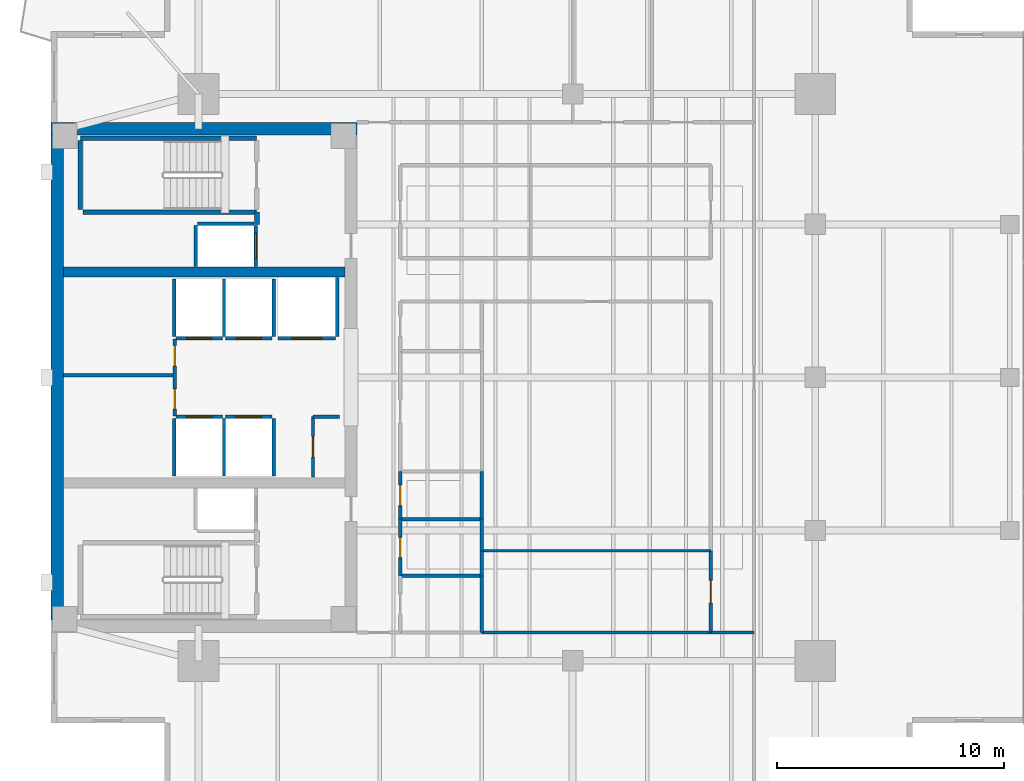
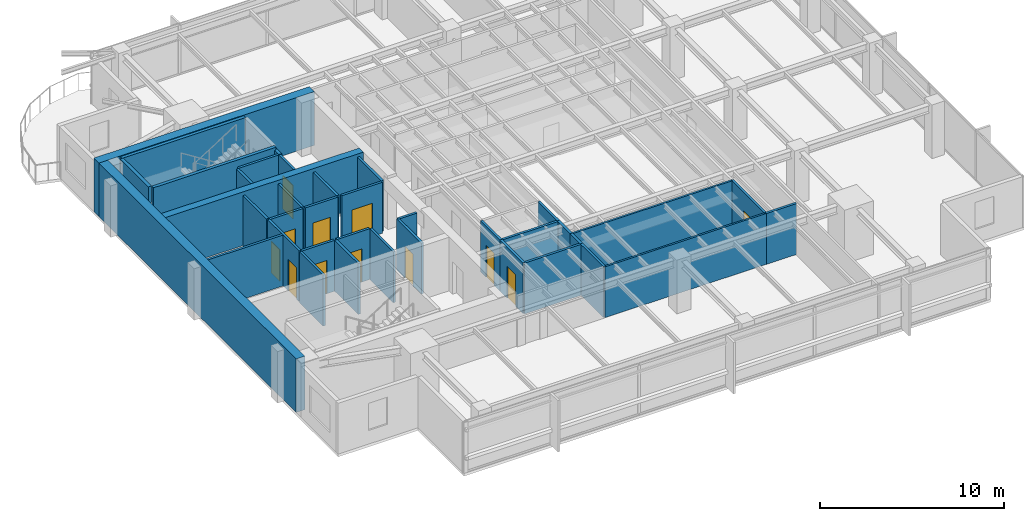
# One storey, part 8 of 14: 38 walls, 12 doors, 12 openings.
"""IFC4 building model written with IfcOpenShell, lengths in metres."""

import ifcopenshell
import ifcopenshell.guid

model = None  # the IFC model being written
_history = None  # IfcOwnerHistory: only IFC2X3 demands one
_inside = {}  # id of a spatial element -> (the spatial element, [elements in it])
_under = {}  # id of a project, library or spatial element -> (it, [spatial elements below it])
_declared = {}  # id of a project -> (the project, [libraries it declares])
_typed = {}  # id of a type object -> (the type object, [elements of that type])
_made_of = {}  # id of a material, layer set ... -> (it, [elements and type objects made of it])


def new_model(schema):
    """Start an empty IFC model of exactly this schema.

    Asked for "IFC4X3", IfcOpenShell would pick the latest addendum, in which some entities
    have other attributes; the version numbers below select the first issue.
    IFC2X3 requires an IfcOwnerHistory on every rooted entity: one is made here for all.
    """
    global model, _history
    if schema == "IFC4X3":
        model = ifcopenshell.file(schema_version=(4, 3, 0, 0))
    else:
        model = ifcopenshell.file(schema=schema)
    _inside.clear()
    _under.clear()
    _declared.clear()
    _typed.clear()
    _made_of.clear()
    _history = None
    if model.schema == "IFC2X3":
        org = make("IfcOrganization", Name="unknown")
        user = make(
            "IfcPersonAndOrganization",
            ThePerson=make("IfcPerson", FamilyName="unknown"),
            TheOrganization=org,
        )
        app = make(
            "IfcApplication",
            ApplicationDeveloper=org,
            Version="unknown",
            ApplicationFullName="unknown",
            ApplicationIdentifier="unknown",
        )
        _history = make(
            "IfcOwnerHistory",
            OwningUser=user,
            OwningApplication=app,
            ChangeAction="ADDED",
            CreationDate=0,
        )
    return model


def make(cls, **values):
    """One entity of the class cls with the attributes given. An attribute that is None is left unset."""
    return model.create_entity(
        cls, **{name: value for name, value in values.items() if value is not None}
    )


def rooted(cls, **values):
    """An entity with a GlobalId (a new one), such as an element, a storey or a relation."""
    return make(cls, GlobalId=ifcopenshell.guid.new(), OwnerHistory=_history, **values)


def si_unit(unit_type, name, prefix=None):
    """IfcSIUnit, for example si_unit("LENGTHUNIT", "METRE", prefix="MILLI")."""
    return make("IfcSIUnit", UnitType=unit_type, Prefix=prefix, Name=name)


def assignment(units):
    """IfcUnitAssignment: the units of a project."""
    return None if units is None else make("IfcUnitAssignment", Units=units)


def point(xyz):
    """IfcCartesianPoint."""
    return None if xyz is None else make("IfcCartesianPoint", Coordinates=xyz)


def direction(xyz):
    """IfcDirection."""
    return None if xyz is None else make("IfcDirection", DirectionRatios=xyz)


def frame(location, z_axis=None, x_axis=None):
    """IfcAxis2Placement3D, a coordinate frame: its origin and axes. An axis left out is left unset."""
    return make(
        "IfcAxis2Placement3D",
        Location=point(location),
        Axis=direction(z_axis),
        RefDirection=direction(x_axis),
    )


def frame_2d(location, x_axis=None):
    """IfcAxis2Placement2D, a coordinate frame in the plane: its origin and x axis."""
    return make(
        "IfcAxis2Placement2D", Location=point(location), RefDirection=direction(x_axis)
    )


def origin():
    """The frame at (0, 0, 0) with its axes left unset."""
    return frame((0.0, 0.0, 0.0))


def place(relative_to, where):
    """IfcLocalPlacement: puts the frame where relative to a parent placement (None: the world)."""
    return make(
        "IfcLocalPlacement", PlacementRelTo=relative_to, RelativePlacement=where
    )


def context(
    kind, dimensions, precision=None, world=None, true_north=None, identifier=None
):
    """IfcGeometricRepresentationContext, for example the 3D "Model" context."""
    return make(
        "IfcGeometricRepresentationContext",
        ContextIdentifier=identifier,
        ContextType=kind,
        CoordinateSpaceDimension=dimensions,
        Precision=precision,
        WorldCoordinateSystem=world,
        TrueNorth=true_north,
    )


def subcontext(parent, identifier, kind, view, scale=None):
    """IfcGeometricRepresentationSubContext, for example "Body" below "Model"."""
    return make(
        "IfcGeometricRepresentationSubContext",
        ContextIdentifier=identifier,
        ContextType=kind,
        ParentContext=parent,
        TargetScale=scale,
        TargetView=view,
    )


def project(units=None, contexts=None):
    """IfcProject with its units and contexts."""
    return rooted(
        "IfcProject",
        Name="project",
        RepresentationContexts=contexts,
        UnitsInContext=assignment(units),
    )


def spatial(cls, under=None, at=None, **own):
    """A site, building, storey or space (cls), placed at a placement, below another one or the project."""
    s = rooted(cls, ObjectPlacement=at, **own)
    if under is not None:
        _under.setdefault(under.id(), (under, []))[1].append(s)
    return s


def profile(cls, at=None, kind="AREA", **sizes):
    """A parametric profile (cls). Its sizes go by their IFC names, for example OverallWidth=200.0."""
    return make(cls, ProfileType=kind, Position=at, **sizes)


def rectangle(**sizes):
    """IfcRectangleProfileDef."""
    return profile("IfcRectangleProfileDef", **sizes)


def extrude(swept, where, along, depth):
    """IfcExtrudedAreaSolid: the profile swept, set in the frame where, extruded along a direction by depth."""
    return make(
        "IfcExtrudedAreaSolid",
        SweptArea=swept,
        Position=where,
        ExtrudedDirection=direction(along),
        Depth=depth,
    )


def shape(context_of_items, identifier, shape_type, items):
    """IfcShapeRepresentation: the items that make up one representation, for example the "Body"."""
    return make(
        "IfcShapeRepresentation",
        ContextOfItems=context_of_items,
        RepresentationIdentifier=identifier,
        RepresentationType=shape_type,
        Items=items,
    )


def material(Name=None, Category=None):
    """IfcMaterial."""
    return make("IfcMaterial", Name=Name, Category=Category)


def layer(
    of_material, thickness, ventilated=None, Name=None, Category=None, Priority=None
):
    """IfcMaterialLayer: one layer of a wall or slab, of a material (None: an air gap)."""
    return make(
        "IfcMaterialLayer",
        Material=of_material,
        LayerThickness=thickness,
        IsVentilated=ventilated,
        Name=Name,
        Category=Category,
        Priority=Priority,
    )


def layer_set(layers, Name=None):
    """IfcMaterialLayerSet."""
    return make("IfcMaterialLayerSet", MaterialLayers=layers, LayerSetName=Name)


def made_of(thing, what):
    """Note that an element or type object is made of a material, layer set ...; save() writes the relation."""
    if what is not None:
        _made_of.setdefault(what.id(), (what, []))[1].append(thing)
    return thing


def type_object(cls, material=None, **own):
    """A type object (cls), such as IfcWallType, which elements share."""
    return made_of(rooted(cls, **own), material)


def element(
    cls,
    number,
    at=None,
    inside=None,
    cuts=None,
    type_object=None,
    material=None,
    context=None,
    identifier="Body",
    shape_type=None,
    held_by="IfcProductDefinitionShape",
    body=None,
    shapes=None,
    **own,
):
    """One element of the class cls, such as IfcWall. Its Tag is "e" and its number.

    at: its placement. inside: the storey or other place that contains it. cuts: it is an
    opening in that element (IfcRelVoidsElement). A single representation is given by context,
    identifier, shape_type and body (its items); several are given by shapes. held_by: the class
    of the entity that holds the representations. save() writes the other relations.
    """
    e = rooted(cls, Tag="e%d" % number, ObjectPlacement=at, **own)
    if body is not None:
        shapes = [shape(context, identifier, shape_type, body)]
    if shapes is not None:
        e.Representation = make(held_by, Representations=shapes)
    if inside is not None:
        _inside.setdefault(inside.id(), (inside, []))[1].append(e)
    if cuts is not None:
        rooted(
            "IfcRelVoidsElement", RelatingBuildingElement=cuts, RelatedOpeningElement=e
        )
    if type_object is not None:
        _typed.setdefault(type_object.id(), (type_object, []))[1].append(e)
    return made_of(e, material)


def fill(opening, filler):
    """IfcRelFillsElement: the door or window that sits in an opening."""
    return rooted(
        "IfcRelFillsElement",
        RelatingOpeningElement=opening,
        RelatedBuildingElement=filler,
    )


def aggregate(whole, parts):
    """IfcRelAggregates: a whole, such as a stair, and the parts it consists of."""
    return rooted("IfcRelAggregates", RelatingObject=whole, RelatedObjects=parts)


def save(model, path):
    """Write the relations noted so far, then the file.

    IfcRelAggregates (storeys below a building ...), IfcRelContainedInSpatialStructure (elements
    in a storey), IfcRelDefinesByType, IfcRelAssociatesMaterial and IfcRelDeclares: one each for
    every whole, place, type object, material and project.
    """
    for whole, parts in _under.values():
        aggregate(whole, parts)
    for where, things in _inside.values():
        rooted(
            "IfcRelContainedInSpatialStructure",
            RelatedElements=things,
            RelatingStructure=where,
        )
    for kind, things in _typed.values():
        rooted("IfcRelDefinesByType", RelatedObjects=things, RelatingType=kind)
    for what, things in _made_of.values():
        rooted("IfcRelAssociatesMaterial", RelatedObjects=things, RelatingMaterial=what)
    for by, libraries in _declared.values():
        rooted("IfcRelDeclares", RelatingContext=by, RelatedDefinitions=libraries)
    model.write(path)


model = new_model("IFC4")

# Units and contexts
model_context = context("Model", 3, precision=1e-05, world=origin(), true_north=direction((0.0, 1.0)))
body_context = subcontext(model_context, "Body", "Model", "MODEL_VIEW")
ifc_project = project(units=[si_unit("LENGTHUNIT", "METRE"), si_unit("AREAUNIT", "SQUARE_METRE"), si_unit("VOLUMEUNIT", "CUBIC_METRE"), si_unit("PLANEANGLEUNIT", "RADIAN"), si_unit("MASSUNIT", "GRAM", prefix="KILO")], contexts=[model_context])

# Site, building, storey
site_placement = place(None, origin())
site = spatial("IfcSite", under=ifc_project, at=site_placement, CompositionType="ELEMENT")
building_placement = place(site_placement, origin())
building = spatial("IfcBuilding", under=site, at=building_placement, Name="Kinhvarn Gate Tower", CompositionType="ELEMENT")
storey_placement = place(building_placement, frame((0.0, 0.0, 234.199951171875)))
storey = spatial("IfcBuildingStorey", under=building, at=storey_placement, Name="L62", CompositionType="ELEMENT", Elevation=234.199951171875)

# Walls
ifc_material_1 = material(Name="Concrete C50/60", Category="concrete")
ifc_layer_1 = layer(ifc_material_1, 0.449951171875)
ifc_layer_set_1 = layer_set([ifc_layer_1], Name="Concrete C50/60")
wall_type_1 = type_object("IfcWallType", Name="WL-CORE-450", PredefinedType="SHEAR", material=ifc_layer_set_1)
wall_1_placement = place(storey_placement, frame((5.050048828125, 29.89990234375, 0.0), z_axis=(0.0, 0.0, 1.0), x_axis=(1.0, 0.0, 0.0)))
element("IfcWall", 1, at=wall_1_placement, inside=storey, type_object=wall_type_1, Name="Core North Spine Shear Wall L62 450 mm", PredefinedType="SHEAR", context=body_context, shape_type="SweptSolid", body=[
    extrude(rectangle(XDim=12.39990234375, YDim=0.449951171875, at=frame_2d((6.199951171875, 0.0))), origin(), (0.0, 0.0, 1.0), 3.550048828125),
])
ifc_material_2 = material(Name="Concrete C60/75", Category="concrete")
ifc_layer_2 = layer(ifc_material_2, 0.550048828125)
ifc_layer_set_2 = layer_set([ifc_layer_2], Name="Concrete C60/75")
wall_type_2 = type_object("IfcWallType", Name="WL-CORE-550", PredefinedType="SHEAR", material=ifc_layer_set_2)
wall_2_placement = place(storey_placement, frame((4.5, 36.22509765625, 0.0), z_axis=(0.0, 0.0, 1.0), x_axis=(1.0, 0.0, 0.0)))
element("IfcWall", 2, at=wall_2_placement, inside=storey, type_object=wall_type_2, Name="Core North Shear Wall L62 550 mm", PredefinedType="SHEAR", context=body_context, shape_type="SweptSolid", body=[
    extrude(rectangle(XDim=13.5, YDim=0.550048828125, at=frame_2d((6.75, 0.0))), origin(), (0.0, 0.0, 1.0), 3.550048828125),
])
ifc_layer_3 = layer(ifc_material_2, 0.550048828125)
ifc_layer_set_3 = layer_set([ifc_layer_3], Name="Concrete C60/75")
wall_type_3 = type_object("IfcWallType", Name="WL-COREX-550", PredefinedType="SHEAR", material=ifc_layer_set_3)
wall_3_placement = place(storey_placement, frame((4.77490234375, 14.550048828125, 0.0), z_axis=(0.0, 0.0, 1.0), x_axis=(0.0, 1.0, 0.0)))
element("IfcWall", 3, at=wall_3_placement, inside=storey, type_object=wall_type_3, Name="Core West Shear Wall L62 550 mm", PredefinedType="SHEAR", context=body_context, shape_type="SweptSolid", body=[
    extrude(rectangle(XDim=21.39990234375, YDim=0.550048828125, at=frame_2d((10.699951171875, 0.0))), origin(), (0.0, 0.0, 1.0), 3.550048828125),
])
ifc_material_3 = material(Name="Gypsum acoustic partition board")
ifc_layer_4 = layer(ifc_material_3, 0.14990234375)
ifc_layer_set_4 = layer_set([ifc_layer_4], Name="Gypsum acoustic partition board")
wall_type_4 = type_object("IfcWallType", Name="WL-PLM-150", PredefinedType="PLUMBINGWALL", material=ifc_layer_set_4)
wall_4_placement = place(storey_placement, frame((19.89990234375, 16.5, 0.0), z_axis=(0.0, 0.0, 1.0), x_axis=(1.0, 0.0, 0.0)))
element("IfcWall", 4, at=wall_4_placement, inside=storey, type_object=wall_type_4, Name="Interior Partition PLW-150 (L62)", PredefinedType="PLUMBINGWALL", context=body_context, shape_type="SweptSolid", body=[
    extrude(rectangle(XDim=3.60009765625, YDim=0.14990234375, at=frame_2d((1.800048828125, 0.0))), origin(), (0.0, 0.0, 1.0), 3.3701171875),
])
wall_5_placement = place(storey_placement, frame((23.5, 14.0, 0.0), z_axis=(0.0, 0.0, 1.0), x_axis=(0.0, 1.0, 0.0)))
element("IfcWall", 5, at=wall_5_placement, inside=storey, type_object=wall_type_4, Name="Interior Partition PLW-150 (L62)", PredefinedType="PLUMBINGWALL", context=body_context, shape_type="SweptSolid", body=[
    extrude(rectangle(XDim=2.5, YDim=0.14990234375, at=frame_2d((1.25, 0.0))), origin(), (0.0, 0.0, 1.0), 3.3701171875),
])
wall_6_placement = place(storey_placement, frame((19.89990234375, 19.0, 0.0), z_axis=(0.0, 0.0, 1.0), x_axis=(1.0, 0.0, 0.0)))
element("IfcWall", 6, at=wall_6_placement, inside=storey, type_object=wall_type_4, Name="Interior Partition PLW-150 (L62)", PredefinedType="PLUMBINGWALL", context=body_context, shape_type="SweptSolid", body=[
    extrude(rectangle(XDim=3.60009765625, YDim=0.14990234375, at=frame_2d((1.800048828125, 0.0))), origin(), (0.0, 0.0, 1.0), 3.3701171875),
])
wall_7_placement = place(storey_placement, frame((23.5, 16.5, 0.0), z_axis=(0.0, 0.0, 1.0), x_axis=(0.0, 1.0, 0.0)))
element("IfcWall", 7, at=wall_7_placement, inside=storey, type_object=wall_type_4, Name="Interior Partition PLW-150 (L62)", PredefinedType="PLUMBINGWALL", context=body_context, shape_type="SweptSolid", body=[
    extrude(rectangle(XDim=1.10009765625, YDim=0.14990234375, at=frame_2d((0.550048828125, 0.0))), origin(), (0.0, 0.0, 1.0), 3.3701171875),
])
wall_8_placement = place(storey_placement, frame((23.5, 17.60009765625, 0.0), z_axis=(0.0, 0.0, 1.0), x_axis=(0.0, 1.0, 0.0)))
element("IfcWall", 8, at=wall_8_placement, inside=storey, type_object=wall_type_4, Name="Interior Partition PLW-150 (L62)", PredefinedType="PLUMBINGWALL", context=body_context, shape_type="SweptSolid", body=[
    extrude(rectangle(XDim=1.39990234375, YDim=0.14990234375, at=frame_2d((0.699951171875, 0.0))), origin(), (0.0, 0.0, 1.0), 3.3701171875),
])
wall_9_placement = place(storey_placement, frame((23.5, 19.0, 0.0), z_axis=(0.0, 0.0, 1.0), x_axis=(0.0, 1.0, 0.0)))
element("IfcWall", 9, at=wall_9_placement, inside=storey, type_object=wall_type_4, Name="Interior Partition PLW-150 (L62)", PredefinedType="PLUMBINGWALL", context=body_context, shape_type="SweptSolid", body=[
    extrude(rectangle(XDim=2.10009765625, YDim=0.14990234375, at=frame_2d((1.050048828125, 0.0))), origin(), (0.0, 0.0, 1.0), 3.3701171875),
])

# Wall, opening, door
ifc_layer_5 = layer(ifc_material_3, 0.14990234375)
ifc_layer_set_5 = layer_set([ifc_layer_5], Name="Gypsum acoustic partition board")
wall_type_5 = type_object("IfcWallType", Name="WL-PLM-150F", PredefinedType="PLUMBINGWALL", material=ifc_layer_set_5)
wall_10_placement = place(storey_placement, frame((19.89990234375, 16.5, 0.0), z_axis=(0.0, 0.0, 1.0), x_axis=(0.0, 1.0, 0.0)))
wall_10 = element("IfcWall", 10, at=wall_10_placement, inside=storey, type_object=wall_type_5, Name="Interior Partition PLW-150F (L62)", PredefinedType="PLUMBINGWALL", context=body_context, shape_type="SweptSolid", body=[
    extrude(rectangle(XDim=2.5, YDim=0.14990234375, at=frame_2d((1.25, 0.0))), origin(), (0.0, 0.0, 1.0), 3.3701171875),
])
opening_1_placement = place(wall_10_placement, frame((0.800048828125, 0.0, 0.0)))
opening_1 = element("IfcOpeningElement", 11, at=opening_1_placement, cuts=wall_10, Name="Opening FD-04", PredefinedType="OPENING", context=body_context, shape_type="SweptSolid", body=[
    extrude(rectangle(XDim=0.89990234375, YDim=2.10009765625, at=frame_2d((0.449951171875, 1.050048828125))), frame((0.0, 0.0849609375, 0.0), z_axis=(0.0, -1.0, 0.0), x_axis=(1.0, 0.0, 0.0)), (0.0, 0.0, 1.0), 0.169921875),
])
ifc_material_4 = material(Name="Anodised aluminium AW-6063", Category="aluminium")
door_type_1 = type_object("IfcDoorType", Name="DR-FD-900", OperationType="NOTDEFINED", PredefinedType="DOOR", material=ifc_material_4)
door_1_placement = place(opening_1_placement, origin())
door_1 = element("IfcDoor", 12, at=door_1_placement, inside=storey, type_object=door_type_1, Name="Rated Riser & Service Closet Fire Door 900x2100 mm (L62)", OperationType="SINGLE_SWING_LEFT", OverallHeight=2.10009765625, OverallWidth=0.89990234375, PredefinedType="DOOR", context=body_context, shape_type="SweptSolid", body=[
    extrude(rectangle(XDim=0.89990234375, YDim=2.10009765625, at=frame_2d((0.449951171875, 1.050048828125))), frame((0.0, 0.02490234375, 0.0), z_axis=(0.0, -1.0, 0.0), x_axis=(1.0, 0.0, 0.0)), (0.0, 0.0, 1.0), 0.050048828125),
])
fill(opening_1, door_1)

wall_11_placement = place(storey_placement, frame((19.89990234375, 19.0, 0.0), z_axis=(0.0, 0.0, 1.0), x_axis=(0.0, 1.0, 0.0)))
wall_11 = element("IfcWall", 13, at=wall_11_placement, inside=storey, type_object=wall_type_5, Name="Interior Partition PLW-150F (L62)", PredefinedType="PLUMBINGWALL", context=body_context, shape_type="SweptSolid", body=[
    extrude(rectangle(XDim=2.10009765625, YDim=0.14990234375, at=frame_2d((1.050048828125, 0.0))), origin(), (0.0, 0.0, 1.0), 3.3701171875),
])
opening_2_placement = place(wall_11_placement, frame((0.60009765625, 0.0, 0.0)))
opening_2 = element("IfcOpeningElement", 14, at=opening_2_placement, cuts=wall_11, Name="Opening FD-04", PredefinedType="OPENING", context=body_context, shape_type="SweptSolid", body=[
    extrude(rectangle(XDim=0.89990234375, YDim=2.10009765625, at=frame_2d((0.449951171875, 1.050048828125))), frame((0.0, 0.0849609375, 0.0), z_axis=(0.0, -1.0, 0.0), x_axis=(1.0, 0.0, 0.0)), (0.0, 0.0, 1.0), 0.169921875),
])
door_2_placement = place(opening_2_placement, origin())
door_2 = element("IfcDoor", 15, at=door_2_placement, inside=storey, type_object=door_type_1, Name="Rated Riser & Service Closet Fire Door 900x2100 mm (L62)", OperationType="SINGLE_SWING_RIGHT", OverallHeight=2.10009765625, OverallWidth=0.89990234375, PredefinedType="DOOR", context=body_context, shape_type="SweptSolid", body=[
    extrude(rectangle(XDim=0.89990234375, YDim=2.10009765625, at=frame_2d((0.449951171875, 1.050048828125))), frame((0.0, 0.02490234375, 0.0), z_axis=(0.0, -1.0, 0.0), x_axis=(1.0, 0.0, 0.0)), (0.0, 0.0, 1.0), 0.050048828125),
])
fill(opening_2, door_2)

# Walls
ifc_layer_6 = layer(ifc_material_3, 0.1201171875)
ifc_layer_set_6 = layer_set([ifc_layer_6], Name="Gypsum acoustic partition board")
wall_type_6 = type_object("IfcWallType", Name="WL-PRT-120", PredefinedType="PARTITIONING", material=ifc_layer_set_6)
for number, where, z_axis, x_axis, name in (
    (16, (23.5, 17.60009765625, 0.0), (0.0, 0.0, 1.0), (1.0, 0.0, 0.0), "Interior Partition PW-120 (L62)"),
    (17, (23.5, 14.0, 0.0), (0.0, 0.0, 1.0), (1.0, 0.0, 0.0), "Interior Partition PW-120 (L62)"),
):
    element("IfcWall", number, at=place(storey_placement, frame(where, z_axis=z_axis, x_axis=x_axis)), inside=storey, type_object=wall_type_6, Name=name, PredefinedType="PARTITIONING", context=body_context, shape_type="SweptSolid", body=[
        extrude(rectangle(XDim=10.10009765625, YDim=0.1201171875, at=frame_2d((5.050048828125, 0.0))), origin(), (0.0, 0.0, 1.0), 3.3701171875),
    ])
ifc_layer_7 = layer(ifc_material_3, 0.14990234375)
ifc_layer_set_7 = layer_set([ifc_layer_7], Name="Gypsum acoustic partition board")
wall_type_7 = type_object("IfcWallType", Name="WL-PRT-150F", PredefinedType="PARTITIONING", material=ifc_layer_set_7)
wall_12_placement = place(storey_placement, frame((5.050048828125, 25.35009765625, 0.0), z_axis=(0.0, 0.0, 1.0), x_axis=(1.0, 0.0, 0.0)))
element("IfcWall", 18, at=wall_12_placement, inside=storey, type_object=wall_type_7, Name="Interior Partition PW-150F (L62)", PredefinedType="PARTITIONING", context=body_context, shape_type="SweptSolid", body=[
    extrude(rectangle(XDim=4.89990234375, YDim=0.14990234375, at=frame_2d((2.449951171875, 0.0))), origin(), (0.0, 0.0, 1.0), 3.3701171875),
])

# Wall, openings, doors
wall_13_placement = place(storey_placement, frame((9.949951171875, 23.550048828125, 0.0), z_axis=(0.0, 0.0, 1.0), x_axis=(0.0, 1.0, 0.0)))
wall_13 = element("IfcWall", 19, at=wall_13_placement, inside=storey, type_object=wall_type_7, Name="Interior Partition PW-150F (L62)", PredefinedType="PARTITIONING", context=body_context, shape_type="SweptSolid", body=[
    extrude(rectangle(XDim=3.39990234375, YDim=0.14990234375, at=frame_2d((1.699951171875, 0.0))), origin(), (0.0, 0.0, 1.0), 3.3701171875),
])
opening_3_placement = place(wall_13_placement, frame((0.298095703125, 0.0, 0.0)))
opening_3 = element("IfcOpeningElement", 20, at=opening_3_placement, cuts=wall_13, Name="Opening FD-04", PredefinedType="OPENING", context=body_context, shape_type="SweptSolid", body=[
    extrude(rectangle(XDim=0.89990234375, YDim=2.10009765625, at=frame_2d((0.449951171875, 1.050048828125))), frame((0.0, 0.0849609375, 0.0), z_axis=(0.0, -1.0, 0.0), x_axis=(1.0, 0.0, 0.0)), (0.0, 0.0, 1.0), 0.169921875),
])
opening_4_placement = place(wall_13_placement, frame((2.201904296875, 0.0, 0.0)))
opening_4 = element("IfcOpeningElement", 21, at=opening_4_placement, cuts=wall_13, Name="Opening FD-04", PredefinedType="OPENING", context=body_context, shape_type="SweptSolid", body=[
    extrude(rectangle(XDim=0.89990234375, YDim=2.10009765625, at=frame_2d((0.449951171875, 1.050048828125))), frame((0.0, 0.0849609375, 0.0), z_axis=(0.0, -1.0, 0.0), x_axis=(1.0, 0.0, 0.0)), (0.0, 0.0, 1.0), 0.169921875),
])
door_3_placement = place(opening_3_placement, origin())
door_3 = element("IfcDoor", 22, at=door_3_placement, inside=storey, type_object=door_type_1, Name="Rated Riser & Service Closet Fire Door 900x2100 mm (L62)", OperationType="SINGLE_SWING_RIGHT", OverallHeight=2.10009765625, OverallWidth=0.89990234375, PredefinedType="DOOR", context=body_context, shape_type="SweptSolid", body=[
    extrude(rectangle(XDim=0.89990234375, YDim=2.10009765625, at=frame_2d((0.449951171875, 1.050048828125))), frame((0.0, 0.02490234375, 0.0), z_axis=(0.0, -1.0, 0.0), x_axis=(1.0, 0.0, 0.0)), (0.0, 0.0, 1.0), 0.050048828125),
])
fill(opening_3, door_3)
door_4_placement = place(opening_4_placement, origin())
door_4 = element("IfcDoor", 23, at=door_4_placement, inside=storey, type_object=door_type_1, Name="Rated Riser & Service Closet Fire Door 900x2100 mm (L62)", OperationType="SINGLE_SWING_LEFT", OverallHeight=2.10009765625, OverallWidth=0.89990234375, PredefinedType="DOOR", context=body_context, shape_type="SweptSolid", body=[
    extrude(rectangle(XDim=0.89990234375, YDim=2.10009765625, at=frame_2d((0.449951171875, 1.050048828125))), frame((0.0, 0.02490234375, 0.0), z_axis=(0.0, -1.0, 0.0), x_axis=(1.0, 0.0, 0.0)), (0.0, 0.0, 1.0), 0.050048828125),
])
fill(opening_4, door_4)

# Wall, opening, door
wall_14_placement = place(storey_placement, frame((16.050048828125, 20.85009765625, 0.0), z_axis=(0.0, 0.0, 1.0), x_axis=(0.0, 1.0, 0.0)))
wall_14 = element("IfcWall", 24, at=wall_14_placement, inside=storey, type_object=wall_type_7, Name="Interior Partition PW-150F (L62)", PredefinedType="PARTITIONING", context=body_context, shape_type="SweptSolid", body=[
    extrude(rectangle(XDim=2.669921875, YDim=0.14990234375, at=frame_2d((1.3349609375, 0.0))), origin(), (0.0, 0.0, 1.0), 3.3701171875),
])
opening_5_placement = place(wall_14_placement, frame((0.885009765625, 0.0, 0.0)))
opening_5 = element("IfcOpeningElement", 25, at=opening_5_placement, cuts=wall_14, Name="Opening FD-04", PredefinedType="OPENING", context=body_context, shape_type="SweptSolid", body=[
    extrude(rectangle(XDim=0.89990234375, YDim=2.10009765625, at=frame_2d((0.449951171875, 1.050048828125))), frame((0.0, 0.0849609375, 0.0), z_axis=(0.0, -1.0, 0.0), x_axis=(1.0, 0.0, 0.0)), (0.0, 0.0, 1.0), 0.169921875),
])
door_5_placement = place(opening_5_placement, origin())
door_5 = element("IfcDoor", 26, at=door_5_placement, inside=storey, type_object=door_type_1, Name="Rated Riser & Service Closet Fire Door 900x2100 mm (L62)", OperationType="SINGLE_SWING_RIGHT", OverallHeight=2.10009765625, OverallWidth=0.89990234375, PredefinedType="DOOR", context=body_context, shape_type="SweptSolid", body=[
    extrude(rectangle(XDim=0.89990234375, YDim=2.10009765625, at=frame_2d((0.449951171875, 1.050048828125))), frame((0.0, 0.02490234375, 0.0), z_axis=(0.0, -1.0, 0.0), x_axis=(1.0, 0.0, 0.0)), (0.0, 0.0, 1.0), 0.050048828125),
])
fill(opening_5, door_5)

# Wall
wall_15_placement = place(storey_placement, frame((16.050048828125, 23.52001953125, 0.0), z_axis=(0.0, 0.0, 1.0), x_axis=(1.0, 0.0, 0.0)))
element("IfcWall", 27, at=wall_15_placement, inside=storey, type_object=wall_type_7, Name="Interior Partition PW-150F (L62)", PredefinedType="PARTITIONING", context=body_context, shape_type="SweptSolid", body=[
    extrude(rectangle(XDim=1.169921875, YDim=0.14990234375, at=frame_2d((0.5849609375, 0.0))), origin(), (0.0, 0.0, 1.0), 3.3701171875),
])

# Wall, opening, door
wall_16_placement = place(storey_placement, frame((33.60009765625, 14.0, 0.0), z_axis=(0.0, 0.0, 1.0), x_axis=(0.0, 1.0, 0.0)))
wall_16 = element("IfcWall", 28, at=wall_16_placement, inside=storey, type_object=wall_type_7, Name="Interior Partition PW-150F (L62)", PredefinedType="PARTITIONING", context=body_context, shape_type="SweptSolid", body=[
    extrude(rectangle(XDim=3.60009765625, YDim=0.14990234375, at=frame_2d((1.800048828125, 0.0))), origin(), (0.0, 0.0, 1.0), 3.3701171875),
])
opening_6_placement = place(wall_16_placement, frame((1.300048828125, 0.0, 0.0)))
opening_6 = element("IfcOpeningElement", 29, at=opening_6_placement, cuts=wall_16, Name="Opening ID-02", PredefinedType="OPENING", context=body_context, shape_type="SweptSolid", body=[
    extrude(rectangle(XDim=1.0, YDim=2.14990234375, at=frame_2d((0.5, 1.074951171875))), frame((0.0, 0.0849609375, 0.0), z_axis=(0.0, -1.0, 0.0), x_axis=(1.0, 0.0, 0.0)), (0.0, 0.0, 1.0), 0.169921875),
])
door_type_2 = type_object("IfcDoorType", Name="DR-INT-1000", OperationType="NOTDEFINED", PredefinedType="DOOR", material=ifc_material_4)
door_6_placement = place(opening_6_placement, origin())
door_6 = element("IfcDoor", 30, at=door_6_placement, inside=storey, type_object=door_type_2, Name="Standard Office & Meeting Room Door 1000x2150 mm (L62)", OperationType="SINGLE_SWING_LEFT", OverallHeight=2.14990234375, OverallWidth=1.0, PredefinedType="DOOR", context=body_context, shape_type="SweptSolid", body=[
    extrude(rectangle(XDim=1.0, YDim=2.14990234375, at=frame_2d((0.5, 1.074951171875))), frame((0.0, 0.02490234375, 0.0), z_axis=(0.0, -1.0, 0.0), x_axis=(1.0, 0.0, 0.0)), (0.0, 0.0, 1.0), 0.050048828125),
])
fill(opening_6, door_6)

# Walls
wall_17_placement = place(storey_placement, frame((33.60009765625, 14.0, 0.0), z_axis=(0.0, 0.0, 1.0), x_axis=(1.0, 0.0, 0.0)))
element("IfcWall", 31, at=wall_17_placement, inside=storey, type_object=wall_type_7, Name="Interior Partition PW-150F (L62)", PredefinedType="PARTITIONING", context=body_context, shape_type="SweptSolid", body=[
    extrude(rectangle(XDim=1.89990234375, YDim=0.14990234375, at=frame_2d((0.949951171875, 0.0))), origin(), (0.0, 0.0, 1.0), 3.3701171875),
])
ifc_layer_8 = layer(ifc_material_3, 0.199951171875)
ifc_layer_set_8 = layer_set([ifc_layer_8], Name="Gypsum acoustic partition board")
wall_type_8 = type_object("IfcWallType", Name="WL-PRT-200", PredefinedType="PARTITIONING", material=ifc_layer_set_8)
wall_18_placement = place(storey_placement, frame((13.580078125, 32.0, 0.0), z_axis=(0.0, 0.0, 1.0), x_axis=(0.0, 1.0, 0.0)))
element("IfcWall", 32, at=wall_18_placement, inside=storey, type_object=wall_type_8, Name="Interior Partition PW-200 (L62)", PredefinedType="PARTITIONING", context=body_context, shape_type="SweptSolid", body=[
    extrude(rectangle(XDim=0.5400390625, YDim=0.199951171875, at=frame_2d((0.27001953125, 0.0))), origin(), (0.0, 0.0, 1.0), 3.3701171875),
])

# Wall, opening, door
ifc_layer_9 = layer(ifc_material_3, 0.14990234375)
ifc_layer_set_9 = layer_set([ifc_layer_9], Name="Gypsum acoustic partition board")
wall_type_9 = type_object("IfcWallType", Name="WL-SHF-150", PredefinedType="PARTITIONING", material=ifc_layer_set_9)
wall_19_placement = place(storey_placement, frame((10.0, 23.52490234375, 0.0), z_axis=(0.0, 0.0, 1.0), x_axis=(1.0, 0.0, 0.0)))
wall_19 = element("IfcWall", 33, at=wall_19_placement, inside=storey, type_object=wall_type_9, Name="Elevator PH-09 Landing Wall (L62)", PredefinedType="PARTITIONING", context=body_context, shape_type="SweptSolid", body=[
    extrude(rectangle(XDim=2.050048828125, YDim=0.14990234375, at=frame_2d((1.02490234375, 0.0))), origin(), (0.0, 0.0, 1.0), 3.3701171875),
])
opening_7_placement = place(wall_19_placement, frame((0.47509765625, 0.0, 0.0)))
opening_7 = element("IfcOpeningElement", 34, at=opening_7_placement, cuts=wall_19, Name="Opening LD-01", PredefinedType="OPENING", context=body_context, shape_type="SweptSolid", body=[
    extrude(rectangle(XDim=1.10009765625, YDim=2.199951171875, at=frame_2d((0.550048828125, 1.10009765625))), frame((0.0, 0.0849609375, 0.0), z_axis=(0.0, -1.0, 0.0), x_axis=(1.0, 0.0, 0.0)), (0.0, 0.0, 1.0), 0.169921875),
])
door_type_3 = type_object("IfcDoorType", Name="DR-LND-PAS", OperationType="NOTDEFINED", PredefinedType="DOOR", material=ifc_material_4)
door_7_placement = place(opening_7_placement, origin())
door_7 = element("IfcDoor", 35, at=door_7_placement, inside=storey, type_object=door_type_3, Name="Elevator PH-09 Sliding Landing Door (L62)", OperationType="DOUBLE_DOOR_SLIDING", OverallHeight=2.199951171875, OverallWidth=1.10009765625, PredefinedType="DOOR", context=body_context, shape_type="SweptSolid", body=[
    extrude(rectangle(XDim=1.10009765625, YDim=2.199951171875, at=frame_2d((0.550048828125, 1.10009765625))), frame((0.0, 0.02490234375, 0.0), z_axis=(0.0, -1.0, 0.0), x_axis=(1.0, 0.0, 0.0)), (0.0, 0.0, 1.0), 0.050048828125),
])
fill(opening_7, door_7)

# Walls
for number, where, z_axis, x_axis, name in (
    (36, (9.925048828125, 20.89990234375, 0.0), (0.0, 0.0, 1.0), (0.0, 1.0, 0.0), "Elevator PH-09 Hoistway Wall W (L62)"),
    (37, (12.125, 20.89990234375, 0.0), (0.0, 0.0, 1.0), (0.0, 1.0, 0.0), "Elevator PH-09 Hoistway Wall E (L62)"),
):
    element("IfcWall", number, at=place(storey_placement, frame(where, z_axis=z_axis, x_axis=x_axis)), inside=storey, type_object=wall_type_9, Name=name, PredefinedType="PARTITIONING", context=body_context, shape_type="SweptSolid", body=[
        extrude(rectangle(XDim=2.550048828125, YDim=0.14990234375, at=frame_2d((1.27490234375, 0.0))), origin(), (0.0, 0.0, 1.0), 3.3701171875),
    ])

# Wall, opening, door
wall_20_placement = place(storey_placement, frame((12.199951171875, 23.52490234375, 0.0), z_axis=(0.0, 0.0, 1.0), x_axis=(1.0, 0.0, 0.0)))
wall_20 = element("IfcWall", 38, at=wall_20_placement, inside=storey, type_object=wall_type_9, Name="Elevator PH-10 Landing Wall (L62)", PredefinedType="PARTITIONING", context=body_context, shape_type="SweptSolid", body=[
    extrude(rectangle(XDim=2.050048828125, YDim=0.14990234375, at=frame_2d((1.02490234375, 0.0))), origin(), (0.0, 0.0, 1.0), 3.3701171875),
])
opening_8_placement = place(wall_20_placement, frame((0.47509765625, 0.0, 0.0)))
opening_8 = element("IfcOpeningElement", 39, at=opening_8_placement, cuts=wall_20, Name="Opening LD-01", PredefinedType="OPENING", context=body_context, shape_type="SweptSolid", body=[
    extrude(rectangle(XDim=1.10009765625, YDim=2.199951171875, at=frame_2d((0.550048828125, 1.10009765625))), frame((0.0, 0.0849609375, 0.0), z_axis=(0.0, -1.0, 0.0), x_axis=(1.0, 0.0, 0.0)), (0.0, 0.0, 1.0), 0.169921875),
])
door_8_placement = place(opening_8_placement, origin())
door_8 = element("IfcDoor", 40, at=door_8_placement, inside=storey, type_object=door_type_3, Name="Elevator PH-10 Sliding Landing Door (L62)", OperationType="DOUBLE_DOOR_SLIDING", OverallHeight=2.199951171875, OverallWidth=1.10009765625, PredefinedType="DOOR", context=body_context, shape_type="SweptSolid", body=[
    extrude(rectangle(XDim=1.10009765625, YDim=2.199951171875, at=frame_2d((0.550048828125, 1.10009765625))), frame((0.0, 0.02490234375, 0.0), z_axis=(0.0, -1.0, 0.0), x_axis=(1.0, 0.0, 0.0)), (0.0, 0.0, 1.0), 0.050048828125),
])
fill(opening_8, door_8)

# Wall
wall_21_placement = place(storey_placement, frame((14.324951171875, 20.89990234375, 0.0), z_axis=(0.0, 0.0, 1.0), x_axis=(0.0, 1.0, 0.0)))
element("IfcWall", 41, at=wall_21_placement, inside=storey, type_object=wall_type_9, Name="Elevator PH-10 Hoistway Wall E (L62)", PredefinedType="PARTITIONING", context=body_context, shape_type="SweptSolid", body=[
    extrude(rectangle(XDim=2.550048828125, YDim=0.14990234375, at=frame_2d((1.27490234375, 0.0))), origin(), (0.0, 0.0, 1.0), 3.3701171875),
])

# Wall, opening, door
wall_22_placement = place(storey_placement, frame((10.0, 26.97509765625, 0.0), z_axis=(0.0, 0.0, 1.0), x_axis=(1.0, 0.0, 0.0)))
wall_22 = element("IfcWall", 42, at=wall_22_placement, inside=storey, type_object=wall_type_9, Name="Elevator PH-11 Landing Wall (L62)", PredefinedType="PARTITIONING", context=body_context, shape_type="SweptSolid", body=[
    extrude(rectangle(XDim=2.050048828125, YDim=0.14990234375, at=frame_2d((1.02490234375, 0.0))), origin(), (0.0, 0.0, 1.0), 3.3701171875),
])
opening_9_placement = place(wall_22_placement, frame((0.47509765625, 0.0, 0.0)))
opening_9 = element("IfcOpeningElement", 43, at=opening_9_placement, cuts=wall_22, Name="Opening LD-01", PredefinedType="OPENING", context=body_context, shape_type="SweptSolid", body=[
    extrude(rectangle(XDim=1.10009765625, YDim=2.199951171875, at=frame_2d((0.550048828125, 1.10009765625))), frame((0.0, 0.0849609375, 0.0), z_axis=(0.0, -1.0, 0.0), x_axis=(1.0, 0.0, 0.0)), (0.0, 0.0, 1.0), 0.169921875),
])
door_9_placement = place(opening_9_placement, origin())
door_9 = element("IfcDoor", 44, at=door_9_placement, inside=storey, type_object=door_type_3, Name="Elevator PH-11 Sliding Landing Door (L62)", OperationType="DOUBLE_DOOR_SLIDING", OverallHeight=2.199951171875, OverallWidth=1.10009765625, PredefinedType="DOOR", context=body_context, shape_type="SweptSolid", body=[
    extrude(rectangle(XDim=1.10009765625, YDim=2.199951171875, at=frame_2d((0.550048828125, 1.10009765625))), frame((0.0, 0.02490234375, 0.0), z_axis=(0.0, -1.0, 0.0), x_axis=(1.0, 0.0, 0.0)), (0.0, 0.0, 1.0), 0.050048828125),
])
fill(opening_9, door_9)

# Walls
for number, where, z_axis, x_axis, name in (
    (45, (9.925048828125, 27.050048828125, 0.0), (0.0, 0.0, 1.0), (0.0, 1.0, 0.0), "Elevator PH-11 Hoistway Wall W (L62)"),
    (46, (12.125, 27.050048828125, 0.0), (0.0, 0.0, 1.0), (0.0, 1.0, 0.0), "Elevator PH-11 Hoistway Wall E (L62)"),
):
    element("IfcWall", number, at=place(storey_placement, frame(where, z_axis=z_axis, x_axis=x_axis)), inside=storey, type_object=wall_type_9, Name=name, PredefinedType="PARTITIONING", context=body_context, shape_type="SweptSolid", body=[
        extrude(rectangle(XDim=2.550048828125, YDim=0.14990234375, at=frame_2d((1.27490234375, 0.0))), origin(), (0.0, 0.0, 1.0), 3.3701171875),
    ])

# Wall, opening, door
wall_23_placement = place(storey_placement, frame((12.199951171875, 26.97509765625, 0.0), z_axis=(0.0, 0.0, 1.0), x_axis=(1.0, 0.0, 0.0)))
wall_23 = element("IfcWall", 47, at=wall_23_placement, inside=storey, type_object=wall_type_9, Name="Elevator PH-12 Landing Wall (L62)", PredefinedType="PARTITIONING", context=body_context, shape_type="SweptSolid", body=[
    extrude(rectangle(XDim=2.050048828125, YDim=0.14990234375, at=frame_2d((1.02490234375, 0.0))), origin(), (0.0, 0.0, 1.0), 3.3701171875),
])
opening_10_placement = place(wall_23_placement, frame((0.47509765625, 0.0, 0.0)))
opening_10 = element("IfcOpeningElement", 48, at=opening_10_placement, cuts=wall_23, Name="Opening LD-01", PredefinedType="OPENING", context=body_context, shape_type="SweptSolid", body=[
    extrude(rectangle(XDim=1.10009765625, YDim=2.199951171875, at=frame_2d((0.550048828125, 1.10009765625))), frame((0.0, 0.0849609375, 0.0), z_axis=(0.0, -1.0, 0.0), x_axis=(1.0, 0.0, 0.0)), (0.0, 0.0, 1.0), 0.169921875),
])
door_10_placement = place(opening_10_placement, origin())
door_10 = element("IfcDoor", 49, at=door_10_placement, inside=storey, type_object=door_type_3, Name="Elevator PH-12 Sliding Landing Door (L62)", OperationType="DOUBLE_DOOR_SLIDING", OverallHeight=2.199951171875, OverallWidth=1.10009765625, PredefinedType="DOOR", context=body_context, shape_type="SweptSolid", body=[
    extrude(rectangle(XDim=1.10009765625, YDim=2.199951171875, at=frame_2d((0.550048828125, 1.10009765625))), frame((0.0, 0.02490234375, 0.0), z_axis=(0.0, -1.0, 0.0), x_axis=(1.0, 0.0, 0.0)), (0.0, 0.0, 1.0), 0.050048828125),
])
fill(opening_10, door_10)

# Wall
wall_24_placement = place(storey_placement, frame((14.324951171875, 27.050048828125, 0.0), z_axis=(0.0, 0.0, 1.0), x_axis=(0.0, 1.0, 0.0)))
element("IfcWall", 50, at=wall_24_placement, inside=storey, type_object=wall_type_9, Name="Elevator PH-12 Hoistway Wall E (L62)", PredefinedType="PARTITIONING", context=body_context, shape_type="SweptSolid", body=[
    extrude(rectangle(XDim=2.550048828125, YDim=0.14990234375, at=frame_2d((1.27490234375, 0.0))), origin(), (0.0, 0.0, 1.0), 3.3701171875),
])

# Wall, opening, door
wall_25_placement = place(storey_placement, frame((14.5, 26.97509765625, 0.0), z_axis=(0.0, 0.0, 1.0), x_axis=(1.0, 0.0, 0.0)))
wall_25 = element("IfcWall", 51, at=wall_25_placement, inside=storey, type_object=wall_type_9, Name="Elevator SV-01 Landing Wall (L62)", PredefinedType="PARTITIONING", context=body_context, shape_type="SweptSolid", body=[
    extrude(rectangle(XDim=2.550048828125, YDim=0.14990234375, at=frame_2d((1.27490234375, 0.0))), origin(), (0.0, 0.0, 1.0), 3.3701171875),
])
opening_11_placement = place(wall_25_placement, frame((0.625, 0.0, 0.0)))
opening_11 = element("IfcOpeningElement", 52, at=opening_11_placement, cuts=wall_25, Name="Opening LD-02", PredefinedType="OPENING", context=body_context, shape_type="SweptSolid", body=[
    extrude(rectangle(XDim=1.300048828125, YDim=2.199951171875, at=frame_2d((0.64990234375, 1.10009765625))), frame((0.0, 0.0849609375, 0.0), z_axis=(0.0, -1.0, 0.0), x_axis=(1.0, 0.0, 0.0)), (0.0, 0.0, 1.0), 0.169921875),
])
door_type_4 = type_object("IfcDoorType", Name="DR-LND-SRV", OperationType="NOTDEFINED", PredefinedType="DOOR", material=ifc_material_4)
door_11_placement = place(opening_11_placement, origin())
door_11 = element("IfcDoor", 53, at=door_11_placement, inside=storey, type_object=door_type_4, Name="Elevator SV-01 Sliding Landing Door (L62)", OperationType="DOUBLE_DOOR_SLIDING", OverallHeight=2.199951171875, OverallWidth=1.300048828125, PredefinedType="DOOR", context=body_context, shape_type="SweptSolid", body=[
    extrude(rectangle(XDim=1.300048828125, YDim=2.199951171875, at=frame_2d((0.64990234375, 1.10009765625))), frame((0.0, 0.02490234375, 0.0), z_axis=(0.0, -1.0, 0.0), x_axis=(1.0, 0.0, 0.0)), (0.0, 0.0, 1.0), 0.050048828125),
])
fill(opening_11, door_11)

# Walls
wall_26_placement = place(storey_placement, frame((17.125, 27.050048828125, 0.0), z_axis=(0.0, 0.0, 1.0), x_axis=(0.0, 1.0, 0.0)))
element("IfcWall", 54, at=wall_26_placement, inside=storey, type_object=wall_type_9, Name="Elevator SV-01 Hoistway Wall E (L62)", PredefinedType="PARTITIONING", context=body_context, shape_type="SweptSolid", body=[
    extrude(rectangle(XDim=2.599853515625, YDim=0.14990234375, at=frame_2d((1.2998046875, 0.0))), origin(), (0.0, 0.0, 1.0), 3.3701171875),
])
wall_27_placement = place(storey_placement, frame((10.949951171875, 32.02490234375, 0.0), z_axis=(0.0, 0.0, 1.0), x_axis=(1.0, 0.0, 0.0)))
element("IfcWall", 55, at=wall_27_placement, inside=storey, type_object=wall_type_9, Name="Elevator FF2 Hoistway Wall N (L62)", PredefinedType="PARTITIONING", context=body_context, shape_type="SweptSolid", body=[
    extrude(rectangle(XDim=2.5, YDim=0.14990234375, at=frame_2d((1.25, 0.0))), origin(), (0.0, 0.0, 1.0), 3.3701171875),
])
wall_28_placement = place(storey_placement, frame((10.875, 30.14990234375, 0.0), z_axis=(0.0, 0.0, 1.0), x_axis=(0.0, 1.0, 0.0)))
element("IfcWall", 56, at=wall_28_placement, inside=storey, type_object=wall_type_9, Name="Elevator FF2 Hoistway Wall W (L62)", PredefinedType="PARTITIONING", context=body_context, shape_type="SweptSolid", body=[
    extrude(rectangle(XDim=1.800048828125, YDim=0.14990234375, at=frame_2d((0.89990234375, 0.0))), origin(), (0.0, 0.0, 1.0), 3.3701171875),
])

# Wall, opening, door
wall_29_placement = place(storey_placement, frame((13.52490234375, 30.14990234375, 0.0), z_axis=(0.0, 0.0, 1.0), x_axis=(0.0, 1.0, 0.0)))
wall_29 = element("IfcWall", 57, at=wall_29_placement, inside=storey, type_object=wall_type_9, Name="Elevator FF2 Landing Wall (L62)", PredefinedType="PARTITIONING", context=body_context, shape_type="SweptSolid", body=[
    extrude(rectangle(XDim=1.800048828125, YDim=0.14990234375, at=frame_2d((0.89990234375, 0.0))), origin(), (0.0, 0.0, 1.0), 3.3701171875),
])
opening_12_placement = place(wall_29_placement, frame((0.35009765625, 0.0, 0.0)))
opening_12 = element("IfcOpeningElement", 58, at=opening_12_placement, cuts=wall_29, Name="Opening LD-03", PredefinedType="OPENING", context=body_context, shape_type="SweptSolid", body=[
    extrude(rectangle(XDim=1.10009765625, YDim=2.199951171875, at=frame_2d((0.550048828125, 1.10009765625))), frame((0.0, 0.0849609375, 0.0), z_axis=(0.0, -1.0, 0.0), x_axis=(1.0, 0.0, 0.0)), (0.0, 0.0, 1.0), 0.169921875),
])
door_type_5 = type_object("IfcDoorType", Name="DR-LND-FF", OperationType="NOTDEFINED", PredefinedType="DOOR", material=ifc_material_4)
door_12_placement = place(opening_12_placement, origin())
door_12 = element("IfcDoor", 59, at=door_12_placement, inside=storey, type_object=door_type_5, Name="Elevator FF2 Sliding Landing Door (L62)", OperationType="DOUBLE_DOOR_SLIDING", OverallHeight=2.199951171875, OverallWidth=1.10009765625, PredefinedType="DOOR", context=body_context, shape_type="SweptSolid", body=[
    extrude(rectangle(XDim=1.10009765625, YDim=2.199951171875, at=frame_2d((0.550048828125, 1.10009765625))), frame((0.0, 0.02490234375, 0.0), z_axis=(0.0, -1.0, 0.0), x_axis=(1.0, 0.0, 0.0)), (0.0, 0.0, 1.0), 0.050048828125),
])
fill(opening_12, door_12)

# Walls
ifc_material_5 = material(Name="Concrete C40/50", Category="concrete")
ifc_layer_10 = layer(ifc_material_5, 0.199951171875)
ifc_layer_set_10 = layer_set([ifc_layer_10], Name="Concrete C40/50")
wall_type_10 = type_object("IfcWallType", Name="WL-SHF-200", PredefinedType="SOLIDWALL", material=ifc_layer_set_10)
wall_30_placement = place(storey_placement, frame((5.800048828125, 35.800048828125, 0.0), z_axis=(0.0, 0.0, 1.0), x_axis=(1.0, 0.0, 0.0)))
element("IfcWall", 60, at=wall_30_placement, inside=storey, type_object=wall_type_10, Name="Stair ST2 North Shaft Wall (L62)", PredefinedType="SOLIDWALL", context=body_context, shape_type="SweptSolid", body=[
    extrude(rectangle(XDim=7.75, YDim=0.199951171875, at=frame_2d((3.875, 0.0))), origin(), (0.0, 0.0, 1.0), 3.550048828125),
])
wall_31_placement = place(storey_placement, frame((5.7900390625, 32.64990234375, 0.0), z_axis=(0.0, 0.0, 1.0), x_axis=(0.0, 1.0, 0.0)))
element("IfcWall", 61, at=wall_31_placement, inside=storey, type_object=wall_type_10, Name="Stair ST2 West Shaft Wall (L62)", PredefinedType="SOLIDWALL", context=body_context, shape_type="SweptSolid", body=[
    extrude(rectangle(XDim=3.050048828125, YDim=0.199951171875, at=frame_2d((1.52490234375, 0.0))), origin(), (0.0, 0.0, 1.0), 3.550048828125),
])
wall_32_placement = place(storey_placement, frame((5.89990234375, 32.5400390625, 0.0), z_axis=(0.0, 0.0, 1.0), x_axis=(1.0, 0.0, 0.0)))
element("IfcWall", 62, at=wall_32_placement, inside=storey, type_object=wall_type_10, Name="Stair ST2 South Shaft Wall (L62)", PredefinedType="SOLIDWALL", context=body_context, shape_type="SweptSolid", body=[
    extrude(rectangle(XDim=7.66015625, YDim=0.199951171875, at=frame_2d((3.830078125, 0.0))), origin(), (0.0, 0.0, 1.0), 3.550048828125),
])

save(model, "model.ifc")
